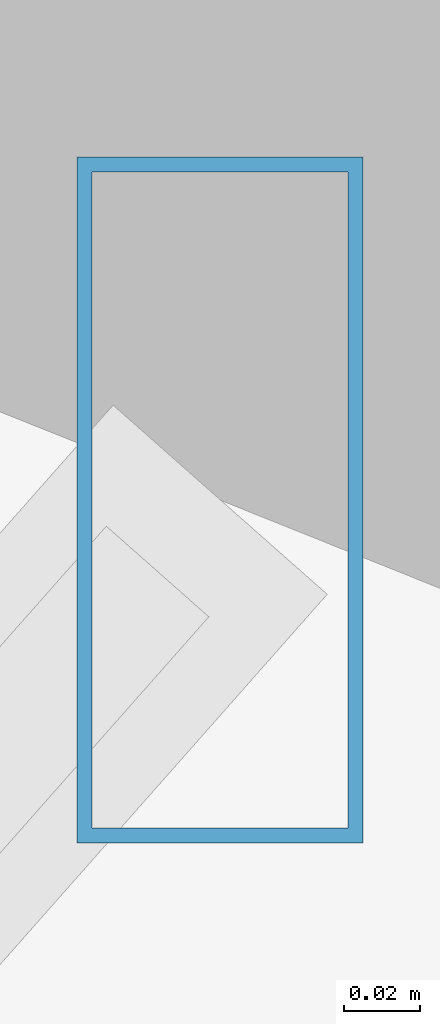
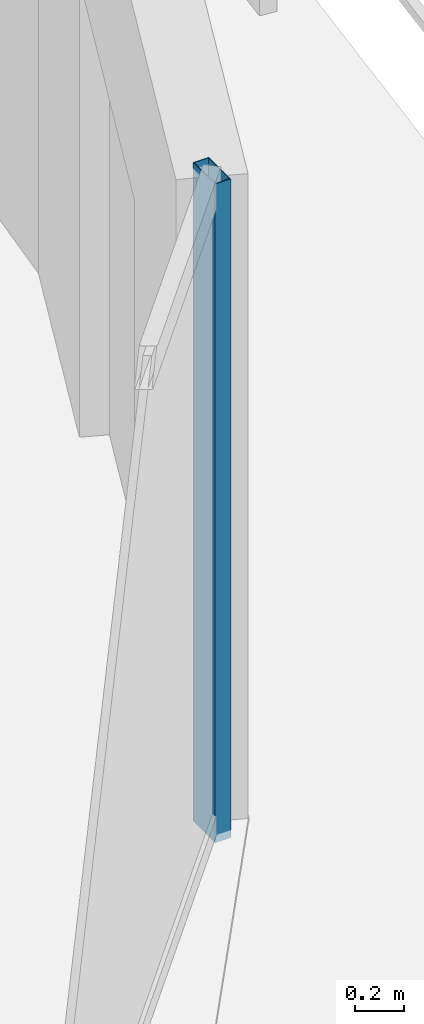
# One storey, part 13 of 29: 1 member, 1 element without a shape of its own.
"""IFC4 building model written with IfcOpenShell, lengths in metres."""

from ifc_helpers import new_model, si_unit, direction, frame, origin, origin_2d, place, context, subcontext, project, spatial, hollow_rectangle, extrude, material, material_profile, profile_set, type_object, element, aggregate, save


model = new_model("IFC4")

# Units and contexts
model_context = context("Model", 3, precision=1e-05, world=origin(), true_north=direction((0.0, 1.0)))
body_context = subcontext(model_context, "Body", "Model", "MODEL_VIEW")
ifc_project = project(units=[si_unit("LENGTHUNIT", "METRE"), si_unit("AREAUNIT", "SQUARE_METRE"), si_unit("VOLUMEUNIT", "CUBIC_METRE"), si_unit("PLANEANGLEUNIT", "RADIAN"), si_unit("MASSUNIT", "GRAM", prefix="KILO")], contexts=[model_context])

# Site, building, storey
site_placement = place(None, origin())
site = spatial("IfcSite", under=ifc_project, at=site_placement, CompositionType="ELEMENT")
building_placement = place(site_placement, origin())
building = spatial("IfcBuilding", under=site, at=building_placement, Name="Vorneva Point Tower", CompositionType="ELEMENT")
storey_placement = place(building_placement, frame((0.0, 0.0, 110.300048828125)))
storey = spatial("IfcBuildingStorey", under=building, at=storey_placement, Name="L29", CompositionType="ELEMENT", Elevation=110.300048828125)

# Curtain wall, member
ifc_material = material(Name="Pale anodised aluminium", Category="aluminium")
curtain_wall_type = type_object("IfcCurtainWallType", Name="CW-HTL-SYS", PredefinedType="NOTDEFINED", material=ifc_material)
curtain_wall_placement = place(storey_placement, origin())
curtain_wall = element("IfcCurtainWall", 1, at=curtain_wall_placement, inside=storey, type_object=curtain_wall_type, Name="L29 Unitised Curtain Wall CW-L29-R04", PredefinedType="NOTDEFINED")
ifc_material_profile = material_profile(ifc_material, hollow_rectangle(XDim=0.074951171875, YDim=0.179931640625, WallThickness=0.00390625, at=origin_2d()), Name="AL-MUL 180x75x4")
ifc_profile_set = profile_set([ifc_material_profile], Name="Pale anodised aluminium")
member_type = type_object("IfcMemberType", Name="CW-MUL-180", PredefinedType="MULLION", material=ifc_profile_set)
member_placement = place(storey_placement, frame((62.251708984375, 18.40380859375, -0.0400390625), z_axis=(0.0, 0.0, 1.0), x_axis=(1.0, 0.0, 0.0)))
member = element("IfcMember", 2, at=member_placement, type_object=member_type, Name="CW-L29-R04 Mullion 06", PredefinedType="MULLION", context=body_context, shape_type="SweptSolid", body=[
    extrude(hollow_rectangle(XDim=0.074951171875, YDim=0.179931640625, WallThickness=0.00390625, at=origin_2d()), origin(), (0.0, 0.0, 1.0), 3.31005859375),
])
aggregate(curtain_wall, [member])

save(model, "model.ifc")
